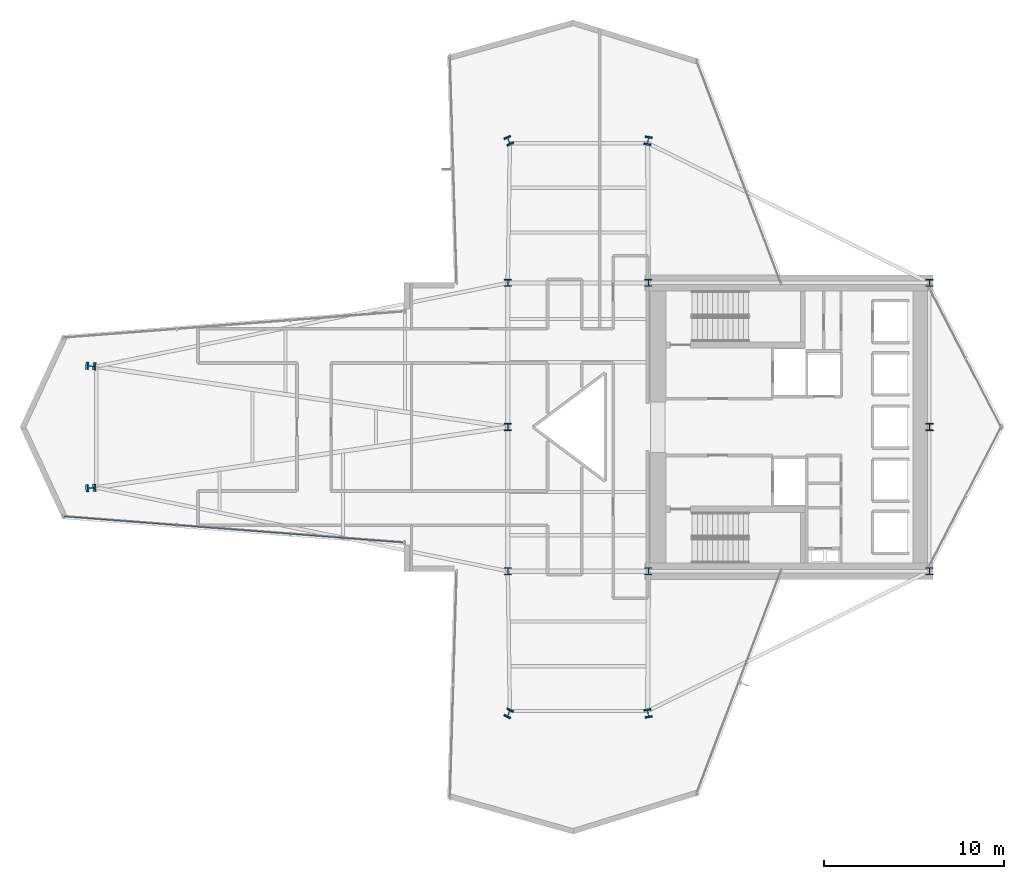
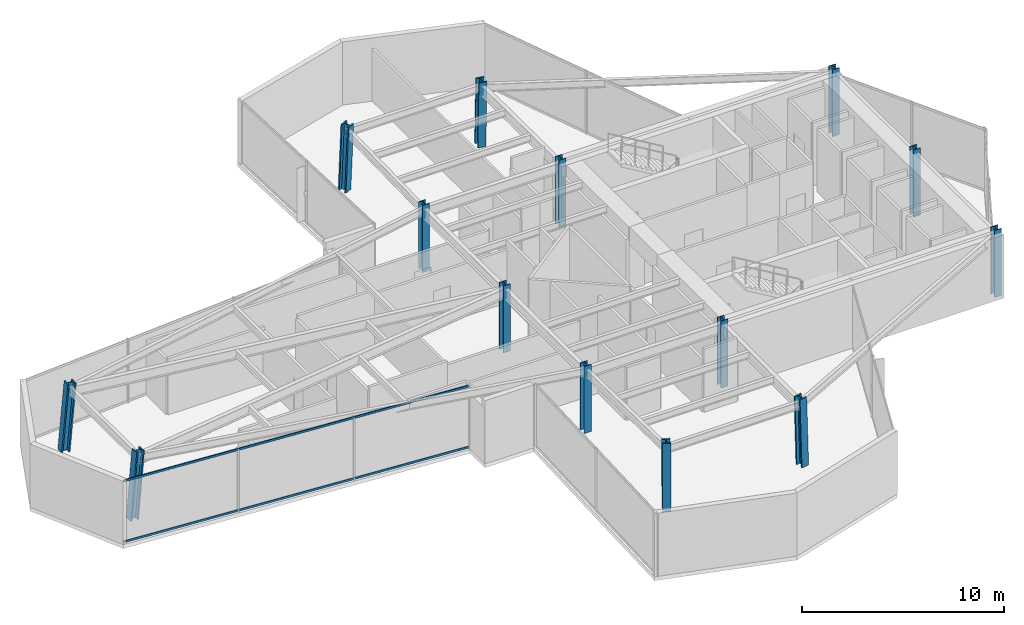
# One storey, part 1 of 28: 14 columns, 2 members, 1 element without a shape of its own.
"""IFC4 building model written with IfcOpenShell, lengths in metres."""

import ifcopenshell
import ifcopenshell.guid

model = None  # the IFC model being written
_history = None  # IfcOwnerHistory: only IFC2X3 demands one
_inside = {}  # id of a spatial element -> (the spatial element, [elements in it])
_under = {}  # id of a project, library or spatial element -> (it, [spatial elements below it])
_declared = {}  # id of a project -> (the project, [libraries it declares])
_typed = {}  # id of a type object -> (the type object, [elements of that type])
_made_of = {}  # id of a material, layer set ... -> (it, [elements and type objects made of it])


def new_model(schema):
    """Start an empty IFC model of exactly this schema.

    Asked for "IFC4X3", IfcOpenShell would pick the latest addendum, in which some entities
    have other attributes; the version numbers below select the first issue.
    IFC2X3 requires an IfcOwnerHistory on every rooted entity: one is made here for all.
    """
    global model, _history
    if schema == "IFC4X3":
        model = ifcopenshell.file(schema_version=(4, 3, 0, 0))
    else:
        model = ifcopenshell.file(schema=schema)
    _inside.clear()
    _under.clear()
    _declared.clear()
    _typed.clear()
    _made_of.clear()
    _history = None
    if model.schema == "IFC2X3":
        org = make("IfcOrganization", Name="unknown")
        user = make(
            "IfcPersonAndOrganization",
            ThePerson=make("IfcPerson", FamilyName="unknown"),
            TheOrganization=org,
        )
        app = make(
            "IfcApplication",
            ApplicationDeveloper=org,
            Version="unknown",
            ApplicationFullName="unknown",
            ApplicationIdentifier="unknown",
        )
        _history = make(
            "IfcOwnerHistory",
            OwningUser=user,
            OwningApplication=app,
            ChangeAction="ADDED",
            CreationDate=0,
        )
    return model


def make(cls, **values):
    """One entity of the class cls with the attributes given. An attribute that is None is left unset."""
    return model.create_entity(
        cls, **{name: value for name, value in values.items() if value is not None}
    )


def rooted(cls, **values):
    """An entity with a GlobalId (a new one), such as an element, a storey or a relation."""
    return make(cls, GlobalId=ifcopenshell.guid.new(), OwnerHistory=_history, **values)


def si_unit(unit_type, name, prefix=None):
    """IfcSIUnit, for example si_unit("LENGTHUNIT", "METRE", prefix="MILLI")."""
    return make("IfcSIUnit", UnitType=unit_type, Prefix=prefix, Name=name)


def assignment(units):
    """IfcUnitAssignment: the units of a project."""
    return None if units is None else make("IfcUnitAssignment", Units=units)


def point(xyz):
    """IfcCartesianPoint."""
    return None if xyz is None else make("IfcCartesianPoint", Coordinates=xyz)


def direction(xyz):
    """IfcDirection."""
    return None if xyz is None else make("IfcDirection", DirectionRatios=xyz)


def frame(location, z_axis=None, x_axis=None):
    """IfcAxis2Placement3D, a coordinate frame: its origin and axes. An axis left out is left unset."""
    return make(
        "IfcAxis2Placement3D",
        Location=point(location),
        Axis=direction(z_axis),
        RefDirection=direction(x_axis),
    )


def frame_2d(location, x_axis=None):
    """IfcAxis2Placement2D, a coordinate frame in the plane: its origin and x axis."""
    return make(
        "IfcAxis2Placement2D", Location=point(location), RefDirection=direction(x_axis)
    )


def origin():
    """The frame at (0, 0, 0) with its axes left unset."""
    return frame((0.0, 0.0, 0.0))


def origin_2d():
    """The frame at (0, 0) in the plane with its x axis left unset."""
    return frame_2d((0.0, 0.0))


def place(relative_to, where):
    """IfcLocalPlacement: puts the frame where relative to a parent placement (None: the world)."""
    return make(
        "IfcLocalPlacement", PlacementRelTo=relative_to, RelativePlacement=where
    )


def context(
    kind, dimensions, precision=None, world=None, true_north=None, identifier=None
):
    """IfcGeometricRepresentationContext, for example the 3D "Model" context."""
    return make(
        "IfcGeometricRepresentationContext",
        ContextIdentifier=identifier,
        ContextType=kind,
        CoordinateSpaceDimension=dimensions,
        Precision=precision,
        WorldCoordinateSystem=world,
        TrueNorth=true_north,
    )


def subcontext(parent, identifier, kind, view, scale=None):
    """IfcGeometricRepresentationSubContext, for example "Body" below "Model"."""
    return make(
        "IfcGeometricRepresentationSubContext",
        ContextIdentifier=identifier,
        ContextType=kind,
        ParentContext=parent,
        TargetScale=scale,
        TargetView=view,
    )


def project(units=None, contexts=None):
    """IfcProject with its units and contexts."""
    return rooted(
        "IfcProject",
        Name="project",
        RepresentationContexts=contexts,
        UnitsInContext=assignment(units),
    )


def spatial(cls, under=None, at=None, **own):
    """A site, building, storey or space (cls), placed at a placement, below another one or the project."""
    s = rooted(cls, ObjectPlacement=at, **own)
    if under is not None:
        _under.setdefault(under.id(), (under, []))[1].append(s)
    return s


def profile(cls, at=None, kind="AREA", **sizes):
    """A parametric profile (cls). Its sizes go by their IFC names, for example OverallWidth=200.0."""
    return make(cls, ProfileType=kind, Position=at, **sizes)


def hollow_rectangle(**sizes):
    """IfcRectangleHollowProfileDef."""
    return profile("IfcRectangleHollowProfileDef", **sizes)


def i_section(**sizes):
    """IfcIShapeProfileDef."""
    return profile("IfcIShapeProfileDef", **sizes)


def extrude(swept, where, along, depth):
    """IfcExtrudedAreaSolid: the profile swept, set in the frame where, extruded along a direction by depth."""
    return make(
        "IfcExtrudedAreaSolid",
        SweptArea=swept,
        Position=where,
        ExtrudedDirection=direction(along),
        Depth=depth,
    )


def shape(context_of_items, identifier, shape_type, items):
    """IfcShapeRepresentation: the items that make up one representation, for example the "Body"."""
    return make(
        "IfcShapeRepresentation",
        ContextOfItems=context_of_items,
        RepresentationIdentifier=identifier,
        RepresentationType=shape_type,
        Items=items,
    )


def material(Name=None, Category=None):
    """IfcMaterial."""
    return make("IfcMaterial", Name=Name, Category=Category)


def layer(
    of_material, thickness, ventilated=None, Name=None, Category=None, Priority=None
):
    """IfcMaterialLayer: one layer of a wall or slab, of a material (None: an air gap)."""
    return make(
        "IfcMaterialLayer",
        Material=of_material,
        LayerThickness=thickness,
        IsVentilated=ventilated,
        Name=Name,
        Category=Category,
        Priority=Priority,
    )


def layer_set(layers, Name=None):
    """IfcMaterialLayerSet."""
    return make("IfcMaterialLayerSet", MaterialLayers=layers, LayerSetName=Name)


def material_profile(
    of_material, cross_section, Name=None, Category=None, Priority=None
):
    """IfcMaterialProfile: a cross section and its material."""
    return make(
        "IfcMaterialProfile",
        Name=Name,
        Material=of_material,
        Profile=cross_section,
        Priority=Priority,
        Category=Category,
    )


def profile_set(profiles, Name=None, composite=None):
    """IfcMaterialProfileSet."""
    return make(
        "IfcMaterialProfileSet",
        Name=Name,
        MaterialProfiles=profiles,
        CompositeProfile=composite,
    )


def made_of(thing, what):
    """Note that an element or type object is made of a material, layer set ...; save() writes the relation."""
    if what is not None:
        _made_of.setdefault(what.id(), (what, []))[1].append(thing)
    return thing


def type_object(cls, material=None, **own):
    """A type object (cls), such as IfcWallType, which elements share."""
    return made_of(rooted(cls, **own), material)


def element(
    cls,
    number,
    at=None,
    inside=None,
    cuts=None,
    type_object=None,
    material=None,
    context=None,
    identifier="Body",
    shape_type=None,
    held_by="IfcProductDefinitionShape",
    body=None,
    shapes=None,
    **own,
):
    """One element of the class cls, such as IfcWall. Its Tag is "e" and its number.

    at: its placement. inside: the storey or other place that contains it. cuts: it is an
    opening in that element (IfcRelVoidsElement). A single representation is given by context,
    identifier, shape_type and body (its items); several are given by shapes. held_by: the class
    of the entity that holds the representations. save() writes the other relations.
    """
    e = rooted(cls, Tag="e%d" % number, ObjectPlacement=at, **own)
    if body is not None:
        shapes = [shape(context, identifier, shape_type, body)]
    if shapes is not None:
        e.Representation = make(held_by, Representations=shapes)
    if inside is not None:
        _inside.setdefault(inside.id(), (inside, []))[1].append(e)
    if cuts is not None:
        rooted(
            "IfcRelVoidsElement", RelatingBuildingElement=cuts, RelatedOpeningElement=e
        )
    if type_object is not None:
        _typed.setdefault(type_object.id(), (type_object, []))[1].append(e)
    return made_of(e, material)


def aggregate(whole, parts):
    """IfcRelAggregates: a whole, such as a stair, and the parts it consists of."""
    return rooted("IfcRelAggregates", RelatingObject=whole, RelatedObjects=parts)


def save(model, path):
    """Write the relations noted so far, then the file.

    IfcRelAggregates (storeys below a building ...), IfcRelContainedInSpatialStructure (elements
    in a storey), IfcRelDefinesByType, IfcRelAssociatesMaterial and IfcRelDeclares: one each for
    every whole, place, type object, material and project.
    """
    for whole, parts in _under.values():
        aggregate(whole, parts)
    for where, things in _inside.values():
        rooted(
            "IfcRelContainedInSpatialStructure",
            RelatedElements=things,
            RelatingStructure=where,
        )
    for kind, things in _typed.values():
        rooted("IfcRelDefinesByType", RelatedObjects=things, RelatingType=kind)
    for what, things in _made_of.values():
        rooted("IfcRelAssociatesMaterial", RelatedObjects=things, RelatingMaterial=what)
    for by, libraries in _declared.values():
        rooted("IfcRelDeclares", RelatingContext=by, RelatedDefinitions=libraries)
    model.write(path)


model = new_model("IFC4")

# Units and contexts
model_context = context("Model", 3, precision=1e-05, world=origin(), true_north=direction((0.0, 1.0)))
body_context = subcontext(model_context, "Body", "Model", "MODEL_VIEW")
ifc_project = project(units=[si_unit("LENGTHUNIT", "METRE"), si_unit("AREAUNIT", "SQUARE_METRE"), si_unit("VOLUMEUNIT", "CUBIC_METRE"), si_unit("PLANEANGLEUNIT", "RADIAN"), si_unit("MASSUNIT", "GRAM", prefix="KILO")], contexts=[model_context])

# Site, building, storey
site_placement = place(None, origin())
site = spatial("IfcSite", under=ifc_project, at=site_placement, CompositionType="ELEMENT")
building_placement = place(site_placement, origin())
building = spatial("IfcBuilding", under=site, at=building_placement, Name="Veymaron Broadcast Tower", CompositionType="ELEMENT")
storey_placement = place(building_placement, frame((0.0, 0.0, 45.89990234375)))
storey = spatial("IfcBuildingStorey", under=building, at=storey_placement, Name="L09", CompositionType="ELEMENT", Elevation=45.89990234375)

# Columns
ifc_material_1 = material(Name="Structural steel ASTM A913 Gr 65", Category="steel")
ifc_material_profile_1 = material_profile(ifc_material_1, i_section(OverallWidth=0.40087890625, OverallDepth=0.39892578125, WebThickness=0.02490234375, FlangeThickness=0.03955078125, at=origin_2d()), Name="W360X314")
ifc_profile_set_1 = profile_set([ifc_material_profile_1], Name="Structural steel ASTM A913 Gr 65")
column_type_1 = type_object("IfcColumnType", Name="COL-HC1", PredefinedType="COLUMN", material=ifc_profile_set_1)
for number, where, z_axis, x_axis, name in (
    (1, (31.199951171875, 16.0, 0.0), (0.0, 0.0, 1.0), (1.0, 0.0, 0.0), "L09 structural hub and core column"),
    (2, (31.199951171875, 24.0, 0.0), (0.0, 0.0, 1.0), (1.0, 0.0, 0.0), "L09 structural hub and core column"),
    (3, (31.199951171875, 32.0, 0.0), (0.0, 0.0, 1.0), (1.0, 0.0, 0.0), "L09 structural hub and core column"),
    (4, (39.0, 16.0, 0.0), (0.0, 0.0, 1.0), (1.0, 0.0, 0.0), "L09 structural hub and core column"),
    (5, (39.0, 32.0, 0.0), (0.0, 0.0, 1.0), (1.0, 0.0, 0.0), "L09 structural hub and core column"),
    (6, (54.60009765625, 16.0, 0.0), (0.0, 0.0, 1.0), (1.0, 0.0, 0.0), "L09 structural hub and core column"),
    (7, (54.60009765625, 24.0, 0.0), (0.0, 0.0, 1.0), (1.0, 0.0, 0.0), "L09 structural hub and core column"),
    (8, (54.60009765625, 32.0, 0.0), (0.0, 0.0, 1.0), (1.0, 0.0, 0.0), "L09 structural hub and core column"),
):
    element("IfcColumn", number, at=place(storey_placement, frame(where, z_axis=z_axis, x_axis=x_axis)), inside=storey, type_object=column_type_1, Name=name, PredefinedType="COLUMN", context=body_context, shape_type="SweptSolid", body=[
        extrude(i_section(OverallWidth=0.40087890625, OverallDepth=0.39892578125, WebThickness=0.02490234375, FlangeThickness=0.03955078125, at=origin_2d()), origin(), (0.0, 0.0, 1.0), 4.044189453125),
    ])
ifc_material_profile_2 = material_profile(ifc_material_1, i_section(OverallWidth=0.424072265625, OverallDepth=0.47412109375, WebThickness=0.047607421875, FlangeThickness=0.076904296875, at=origin_2d()), Name="W360X634")
ifc_profile_set_2 = profile_set([ifc_material_profile_2], Name="Structural steel ASTM A913 Gr 65")
column_type_2 = type_object("IfcColumnType", Name="COL-MC1", PredefinedType="COLUMN", material=ifc_profile_set_2)
for number, where, z_axis, x_axis, name in (
    (9, (8.007080078125, 20.614990234375, 0.01611328125), (0.085538590232, 0.006174760229, 0.996315724014), (-0.071999487784, 0.997404669008, 0.0), "L09 Tapered Wing Mega Column"),
    (10, (8.007080078125, 27.385009765625, 0.01611328125), (0.085538590232, -0.006174760229, 0.996315724014), (0.071999487784, 0.997404669008, 0.0), "L09 Tapered Wing Mega Column"),
):
    element("IfcColumn", number, at=place(storey_placement, frame(where, z_axis=z_axis, x_axis=x_axis)), inside=storey, type_object=column_type_2, Name=name, PredefinedType="COLUMN", context=body_context, shape_type="SweptSolid", body=[
        extrude(i_section(OverallWidth=0.424072265625, OverallDepth=0.47412109375, WebThickness=0.047607421875, FlangeThickness=0.076904296875, at=origin_2d()), origin(), (0.0, 0.0, 1.0), 4.032958984375),
    ])
column_1_placement = place(storey_placement, frame((31.241943359375, 39.909912109375, 0.01611328125), z_axis=(0.017423559696, -0.03727549008, 0.999153120101), x_axis=(0.905919107853, 0.423450788199, 0.0)))
element("IfcColumn", 11, at=column_1_placement, inside=storey, type_object=column_type_2, Name="L09 Tapered Wing Mega Column", PredefinedType="COLUMN", context=body_context, shape_type="SweptSolid", body=[
    extrude(i_section(OverallWidth=0.424072265625, OverallDepth=0.47412109375, WebThickness=0.047607421875, FlangeThickness=0.076904296875, at=origin_2d()), origin(), (0.0, 0.0, 1.0), 4.021484375),
])
column_2_placement = place(storey_placement, frame((38.985107421875, 39.909912109375, 0.01611328125), z_axis=(-0.006253881592, -0.037280420364, 0.999285274195), x_axis=(0.986219728076, -0.165440768716, 0.0)))
element("IfcColumn", 12, at=column_2_placement, inside=storey, type_object=column_type_2, Name="L09 Tapered Wing Mega Column", PredefinedType="COLUMN", context=body_context, shape_type="SweptSolid", body=[
    extrude(i_section(OverallWidth=0.424072265625, OverallDepth=0.47412109375, WebThickness=0.047607421875, FlangeThickness=0.076904296875, at=origin_2d()), origin(), (0.0, 0.0, 1.0), 4.02099609375),
])
column_3_placement = place(storey_placement, frame((31.241943359375, 8.090087890625, 0.01611328125), z_axis=(0.017423559696, 0.03727549008, 0.999153120101), x_axis=(-0.905919107853, 0.423450788199, 0.0)))
element("IfcColumn", 13, at=column_3_placement, inside=storey, type_object=column_type_2, Name="L09 Tapered Wing Mega Column", PredefinedType="COLUMN", context=body_context, shape_type="SweptSolid", body=[
    extrude(i_section(OverallWidth=0.424072265625, OverallDepth=0.47412109375, WebThickness=0.047607421875, FlangeThickness=0.076904296875, at=origin_2d()), origin(), (0.0, 0.0, 1.0), 4.021484375),
])
column_4_placement = place(storey_placement, frame((38.985107421875, 8.090087890625, 0.01611328125), z_axis=(-0.006253881592, 0.037280420364, 0.999285274195), x_axis=(-0.986219728076, -0.165440768716, 0.0)))
element("IfcColumn", 14, at=column_4_placement, inside=storey, type_object=column_type_2, Name="L09 Tapered Wing Mega Column", PredefinedType="COLUMN", context=body_context, shape_type="SweptSolid", body=[
    extrude(i_section(OverallWidth=0.424072265625, OverallDepth=0.47412109375, WebThickness=0.047607421875, FlangeThickness=0.076904296875, at=origin_2d()), origin(), (0.0, 0.0, 1.0), 4.02099609375),
])

# Curtain wall, members
ifc_material_2 = material(Name="Anodised aluminium AA 6063-T6 and laminated low-E dark glass", Category="aluminium")
ifc_layer = layer(ifc_material_2, 0.179931640625)
ifc_layer_set = layer_set([ifc_layer], Name="Anodised aluminium AA 6063-T6 and laminated low-E dark glass")
curtain_wall_type = type_object("IfcCurtainWallType", Name="CW-SYS-02", PredefinedType="NOTDEFINED", material=ifc_layer_set)
curtain_wall_placement = place(storey_placement, origin())
curtain_wall = element("IfcCurtainWall", 15, at=curtain_wall_placement, inside=storey, type_object=curtain_wall_type, Name="L09 dark-glass curtain wall CW-L09-E14-1", PredefinedType="NOTDEFINED")
ifc_material_3 = material(Name="Anodised aluminium AA 6063-T6", Category="aluminium")
ifc_material_profile_3 = material_profile(ifc_material_3, hollow_rectangle(XDim=0.06005859375, YDim=0.1201171875, WallThickness=0.00390625, at=origin_2d()), Name="AL120X60X4")
ifc_profile_set_3 = profile_set([ifc_material_profile_3], Name="Anodised aluminium AA 6063-T6")
member_type = type_object("IfcMemberType", Name="CW-TRN-02", PredefinedType="USERDEFINED", material=ifc_profile_set_3)
member_1_placement = place(storey_placement, frame((6.560546875, 19.039794921875, 0.070068359375), z_axis=(0.997061015336, -0.076611563729, 0.0), x_axis=(0.076611563729, 0.997061015336, 0.0)))
member_1 = element("IfcMember", 16, at=member_1_placement, type_object=member_type, Name="CW-L09-E14-1 transom B", ObjectType="TRANSOM", PredefinedType="USERDEFINED", context=body_context, shape_type="SweptSolid", body=[
    extrude(hollow_rectangle(XDim=0.06005859375, YDim=0.1201171875, WallThickness=0.00390625, at=origin_2d()), origin(), (0.0, 0.0, 1.0), 18.90380859375),
])
member_2_placement = place(storey_placement, frame((6.560546875, 19.039794921875, 3.739990234375), z_axis=(0.997061015336, -0.076611563729, 0.0), x_axis=(0.076611563729, 0.997061015336, 0.0)))
member_2 = element("IfcMember", 17, at=member_2_placement, type_object=member_type, Name="CW-L09-E14-1 transom T", ObjectType="TRANSOM", PredefinedType="USERDEFINED", context=body_context, shape_type="SweptSolid", body=[
    extrude(hollow_rectangle(XDim=0.06005859375, YDim=0.1201171875, WallThickness=0.00390625, at=origin_2d()), origin(), (0.0, 0.0, 1.0), 18.90380859375),
])
aggregate(curtain_wall, [member_1, member_2])

save(model, "model.ifc")
